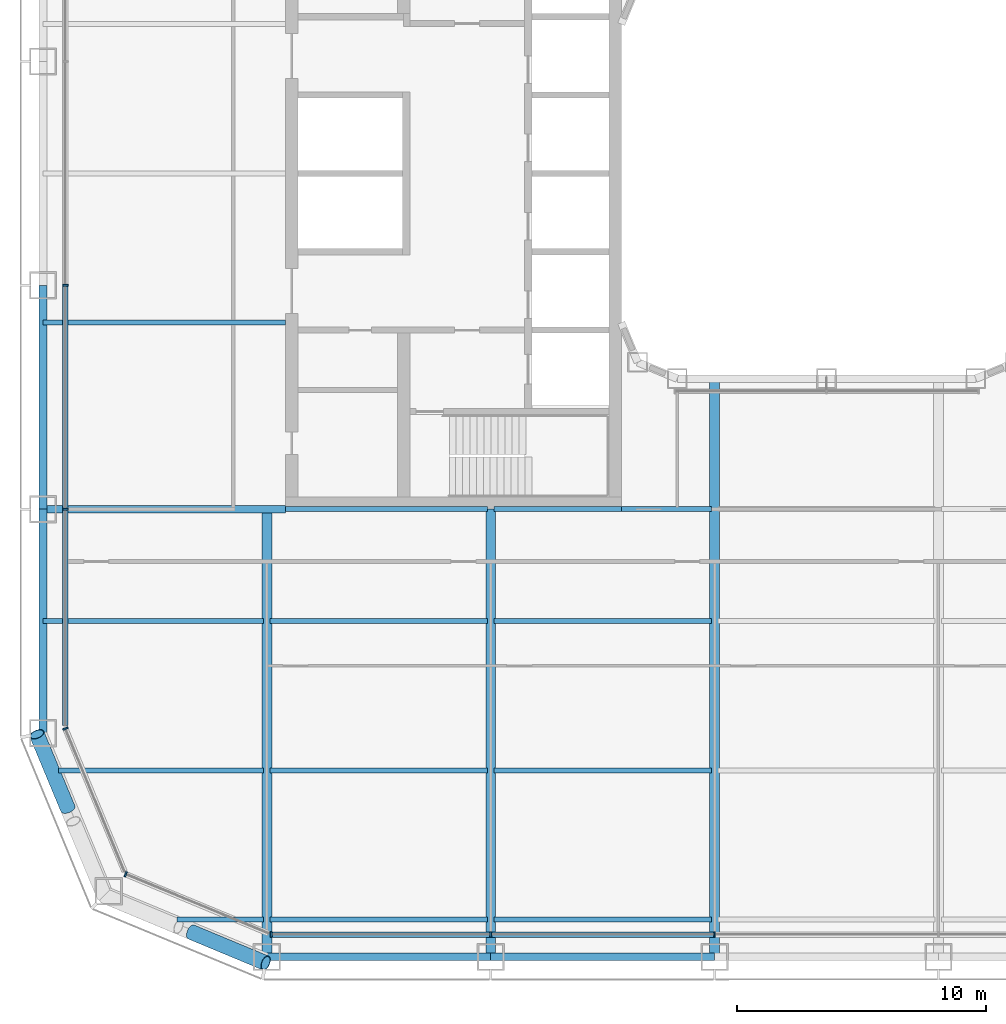
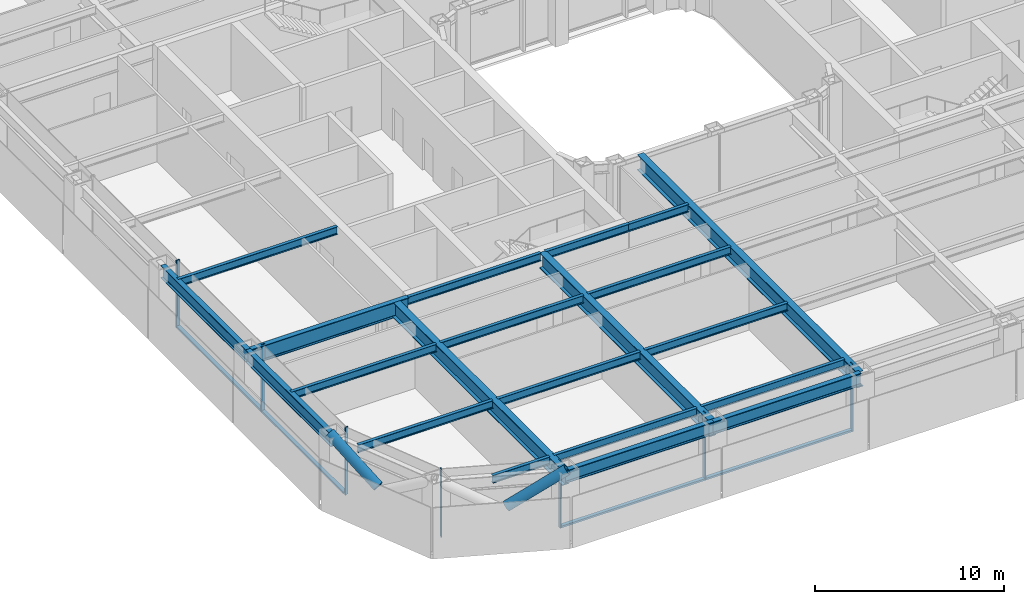
# One storey, part 2 of 30: 21 beams, 13 members, 4 elements without a shape of their own.
"""IFC4 building model written with IfcOpenShell, lengths in metres."""

from ifc_helpers import new_model, si_unit, direction, frame, origin, origin_2d, place, context, subcontext, project, spatial, rectangle, hollow_circle, i_section, extrude, material, layer, layer_set, material_profile, profile_set, type_object, element, aggregate, save


model = new_model("IFC4")

# Units and contexts
model_context = context("Model", 3, precision=1e-05, world=origin(), true_north=direction((0.0, 1.0)))
body_context = subcontext(model_context, "Body", "Model", "MODEL_VIEW")
ifc_project = project(units=[si_unit("LENGTHUNIT", "METRE"), si_unit("AREAUNIT", "SQUARE_METRE"), si_unit("VOLUMEUNIT", "CUBIC_METRE"), si_unit("PLANEANGLEUNIT", "RADIAN"), si_unit("MASSUNIT", "GRAM", prefix="KILO")], contexts=[model_context])

# Site, building, storey
site_placement = place(None, origin())
site = spatial("IfcSite", under=ifc_project, at=site_placement, CompositionType="ELEMENT")
building_placement = place(site_placement, origin())
building = spatial("IfcBuilding", under=site, at=building_placement, Name="Siwar Civic Tower", CompositionType="ELEMENT")
storey_placement = place(building_placement, frame((0.0, 0.0, 26.699951171875)))
storey = spatial("IfcBuildingStorey", under=building, at=storey_placement, Name="L05", CompositionType="ELEMENT", Elevation=26.699951171875)

# Curtain wall, members
ifc_material_1 = material(Name="Aluminium and glass", Category="aluminium")
ifc_layer_1 = layer(ifc_material_1, 0.219970703125)
ifc_layer_set_1 = layer_set([ifc_layer_1], Name="Aluminium and glass")
curtain_wall_type_1 = type_object("IfcCurtainWallType", Name="ENV-CW-A", PredefinedType="NOTDEFINED", material=ifc_layer_set_1)
curtain_wall_1_placement = place(storey_placement, origin())
curtain_wall_1 = element("IfcCurtainWall", 1, at=curtain_wall_1_placement, inside=storey, type_object=curtain_wall_type_1, Name="Curtain wall A S", PredefinedType="NOTDEFINED")
ifc_material_2 = material(Name="Aluminium 6063-T6", Category="aluminium")
ifc_material_profile_1 = material_profile(ifc_material_2, rectangle(XDim=0.219970703125, YDim=0.070068359375, at=origin_2d()), Name="AL 220x70")
ifc_profile_set_1 = profile_set([ifc_material_profile_1], Name="Aluminium 6063-T6")
member_type_1 = type_object("IfcMemberType", Name="ENV-MULLION-A", PredefinedType="MULLION", material=ifc_profile_set_1)
member_1_placement = place(storey_placement, frame((-22.321044921875, -30.60009765625, 0.0), z_axis=(0.0, 0.0, 1.0), x_axis=(0.0, 1.0, 0.0)))
member_1 = element("IfcMember", 2, at=member_1_placement, type_object=member_type_1, Name="Mullion A S 1", PredefinedType="MULLION", context=body_context, shape_type="SweptSolid", body=[
    extrude(rectangle(XDim=0.219970703125, YDim=0.070068359375, at=origin_2d()), origin(), (0.0, 0.0, 1.0), 4.35009765625),
])
member_2_placement = place(storey_placement, frame((-13.5, -30.60009765625, 0.0), z_axis=(0.0, 0.0, 1.0), x_axis=(0.0, 1.0, 0.0)))
member_2 = element("IfcMember", 3, at=member_2_placement, type_object=member_type_1, Name="Mullion A S 2", PredefinedType="MULLION", context=body_context, shape_type="SweptSolid", body=[
    extrude(rectangle(XDim=0.219970703125, YDim=0.070068359375, at=origin_2d()), origin(), (0.0, 0.0, 1.0), 4.35009765625),
])
member_3_placement = place(storey_placement, frame((-4.5, -30.60009765625, 0.0), z_axis=(0.0, 0.0, 1.0), x_axis=(0.0, 1.0, 0.0)))
member_3 = element("IfcMember", 4, at=member_3_placement, type_object=member_type_1, Name="Mullion A S 3", PredefinedType="MULLION", context=body_context, shape_type="SweptSolid", body=[
    extrude(rectangle(XDim=0.219970703125, YDim=0.070068359375, at=origin_2d()), origin(), (0.0, 0.0, 1.0), 4.35009765625),
])

curtain_wall_2_placement = place(storey_placement, origin())
curtain_wall_2 = element("IfcCurtainWall", 5, at=curtain_wall_2_placement, inside=storey, type_object=curtain_wall_type_1, Name="Curtain wall A W", PredefinedType="NOTDEFINED")
member_4_placement = place(storey_placement, frame((-30.60009765625, -4.5, 0.0), z_axis=(0.0, 0.0, 1.0), x_axis=(1.0, 0.0, 0.0)))
member_4 = element("IfcMember", 6, at=member_4_placement, type_object=member_type_1, Name="Mullion A W 4", PredefinedType="MULLION", context=body_context, shape_type="SweptSolid", body=[
    extrude(rectangle(XDim=0.219970703125, YDim=0.070068359375, at=origin_2d()), origin(), (0.0, 0.0, 1.0), 4.35009765625),
])
member_5_placement = place(storey_placement, frame((-30.60009765625, -13.5, 0.0), z_axis=(0.0, 0.0, 1.0), x_axis=(1.0, 0.0, 0.0)))
member_5 = element("IfcMember", 7, at=member_5_placement, type_object=member_type_1, Name="Mullion A W 5", PredefinedType="MULLION", context=body_context, shape_type="SweptSolid", body=[
    extrude(rectangle(XDim=0.219970703125, YDim=0.070068359375, at=origin_2d()), origin(), (0.0, 0.0, 1.0), 4.35009765625),
])

# Curtain wall, member
ifc_material_3 = material(Name="Aluminium clad insulated panel", Category="aluminium")
ifc_layer_2 = layer(ifc_material_3, 0.219970703125)
ifc_layer_set_2 = layer_set([ifc_layer_2], Name="Aluminium clad insulated panel")
curtain_wall_type_2 = type_object("IfcCurtainWallType", Name="ENV-CW-AX", PredefinedType="NOTDEFINED", material=ifc_layer_set_2)
curtain_wall_3_placement = place(storey_placement, origin())
curtain_wall_3 = element("IfcCurtainWall", 8, at=curtain_wall_3_placement, inside=storey, type_object=curtain_wall_type_2, Name="Curtain wall A SW1", PredefinedType="NOTDEFINED")
member_6_placement = place(storey_placement, frame((-30.60009765625, -22.321044921875, 0.0), z_axis=(0.0, 0.0, 1.0), x_axis=(0.923879532511, 0.382683432365, 0.0)))
member_6 = element("IfcMember", 9, at=member_6_placement, type_object=member_type_1, Name="Mullion A SW1 1", PredefinedType="MULLION", context=body_context, shape_type="SweptSolid", body=[
    extrude(rectangle(XDim=0.219970703125, YDim=0.070068359375, at=origin_2d()), origin(), (0.0, 0.0, 1.0), 4.35009765625),
])
aggregate(curtain_wall_3, [member_6])

curtain_wall_4_placement = place(storey_placement, origin())
curtain_wall_4 = element("IfcCurtainWall", 10, at=curtain_wall_4_placement, inside=storey, type_object=curtain_wall_type_2, Name="Curtain wall A SW2", PredefinedType="NOTDEFINED")
member_7_placement = place(storey_placement, frame((-28.175048828125, -28.175048828125, 0.0), z_axis=(0.0, 0.0, 1.0), x_axis=(0.382683432365, 0.923879532511, 0.0)))
member_7 = element("IfcMember", 11, at=member_7_placement, type_object=member_type_1, Name="Mullion A SW2 1", PredefinedType="MULLION", context=body_context, shape_type="SweptSolid", body=[
    extrude(rectangle(XDim=0.219970703125, YDim=0.070068359375, at=origin_2d()), origin(), (0.0, 0.0, 1.0), 4.35009765625),
])
aggregate(curtain_wall_4, [member_7])

# Member
ifc_material_4 = material(Name="Aluminium 6063-T6", Category="aluminium")
ifc_material_profile_2 = material_profile(ifc_material_4, rectangle(XDim=0.219970703125, YDim=0.1201171875, at=origin_2d()), Name="AL 220x120")
ifc_profile_set_2 = profile_set([ifc_material_profile_2], Name="Aluminium 6063-T6")
member_type_2 = type_object("IfcMemberType", Name="ENV-TRANSOM-A", PredefinedType="USERDEFINED", material=ifc_profile_set_2)
member_8_placement = place(storey_placement, frame((-22.285888671875, -30.60009765625, 0.06005859375), z_axis=(1.0, 0.0, 0.0), x_axis=(0.0, 1.0, 0.0)))
member_8 = element("IfcMember", 12, at=member_8_placement, type_object=member_type_2, Name="Transom A S 1", ObjectType="TRANSOM", PredefinedType="USERDEFINED", context=body_context, shape_type="SweptSolid", body=[
    extrude(rectangle(XDim=0.219970703125, YDim=0.1201171875, at=origin_2d()), origin(), (0.0, 0.0, 1.0), 8.7509765625),
])

member_9_placement = place(storey_placement, frame((-13.465087890625, -30.60009765625, 0.06005859375), z_axis=(1.0, 0.0, 0.0), x_axis=(0.0, 1.0, 0.0)))
member_9 = element("IfcMember", 13, at=member_9_placement, type_object=member_type_2, Name="Transom A S 2", ObjectType="TRANSOM", PredefinedType="USERDEFINED", context=body_context, shape_type="SweptSolid", body=[
    extrude(rectangle(XDim=0.219970703125, YDim=0.1201171875, at=origin_2d()), origin(), (0.0, 0.0, 1.0), 8.93017578125),
])

aggregate(curtain_wall_1, [member_1, member_2, member_3, member_8, member_9])

member_10_placement = place(storey_placement, frame((-30.60009765625, -4.534912109375, 0.06005859375), z_axis=(0.0, -1.0, 0.0), x_axis=(1.0, 0.0, 0.0)))
member_10 = element("IfcMember", 14, at=member_10_placement, type_object=member_type_2, Name="Transom A W 4", ObjectType="TRANSOM", PredefinedType="USERDEFINED", context=body_context, shape_type="SweptSolid", body=[
    extrude(rectangle(XDim=0.219970703125, YDim=0.1201171875, at=origin_2d()), origin(), (0.0, 0.0, 1.0), 8.93017578125),
])

member_11_placement = place(storey_placement, frame((-30.60009765625, -13.534912109375, 0.06005859375), z_axis=(0.0, -1.0, 0.0), x_axis=(1.0, 0.0, 0.0)))
member_11 = element("IfcMember", 15, at=member_11_placement, type_object=member_type_2, Name="Transom A W 5", ObjectType="TRANSOM", PredefinedType="USERDEFINED", context=body_context, shape_type="SweptSolid", body=[
    extrude(rectangle(XDim=0.219970703125, YDim=0.1201171875, at=origin_2d()), origin(), (0.0, 0.0, 1.0), 8.66357421875),
])

aggregate(curtain_wall_2, [member_4, member_5, member_10, member_11])

# Members
ifc_material_5 = material(Name="Steel S355", Category="steel")
ifc_material_profile_3 = material_profile(ifc_material_5, hollow_circle(Radius=0.304931640625, WallThickness=0.030029296875, at=origin_2d()), Name="CHS610x30")
ifc_profile_set_3 = profile_set([ifc_material_profile_3], Name="Steel S355")
member_type_3 = type_object("IfcMemberType", Name="STR-BR-CHS610x30", PredefinedType="BRACE", material=ifc_profile_set_3)
for number, where, z_axis, x_axis, name in (
    (16, (-25.537353515625, -30.500244140625, 2.428466796875), (0.777559680196, -0.3238932121, 0.53897507446), (0.384524353215, 0.923114847559, 0.0), "L05/brc/ASW1-4-0-3"),
    (17, (-30.500244140625, -25.537353515625, 2.428466796875), (-0.3238932121, 0.777559680196, 0.53897507446), (-0.923114847559, -0.384524353215, 0.0), "L05/brc/ASW1-4-0-5"),
):
    element("IfcMember", number, at=place(storey_placement, frame(where, z_axis=z_axis, x_axis=x_axis)), inside=storey, type_object=member_type_3, Name=name, PredefinedType="BRACE", context=body_context, shape_type="SweptSolid", body=[
        extrude(hollow_circle(Radius=0.304931640625, WallThickness=0.030029296875, at=origin_2d()), origin(), (0.0, 0.0, 1.0), 3.843505859375),
    ])

# Beams
ifc_material_6 = material(Name="Steel S355", Category="steel")
ifc_material_profile_4 = material_profile(ifc_material_6, i_section(OverallWidth=0.199951171875, OverallDepth=0.5, WebThickness=0.01025390625, FlangeThickness=0.01611328125, FilletRadius=0.02099609375, at=origin_2d()), Name="IPE500")
ifc_profile_set_4 = profile_set([ifc_material_profile_4], Name="Steel S355")
beam_type_1 = type_object("IfcBeamType", Name="STR-FB-IPE500", PredefinedType="JOIST", material=ifc_profile_set_4)
beam_1_placement = place(storey_placement, frame((-26.121337890625, -30.0, 4.10009765625), z_axis=(1.0, 0.0, 0.0), x_axis=(0.0, 1.0, 0.0)))
element("IfcBeam", 18, at=beam_1_placement, inside=storey, type_object=beam_type_1, Name="L05/bm/F001", PredefinedType="JOIST", context=body_context, shape_type="SweptSolid", body=[
    extrude(i_section(OverallWidth=0.199951171875, OverallDepth=0.5, WebThickness=0.01025390625, FlangeThickness=0.01611328125, FilletRadius=0.02099609375, at=origin_2d()), origin(), (0.0, 0.0, 1.0), 3.491455078125),
])
for number, where, z_axis, x_axis, name in (
    (19, (-22.3701171875, -30.0, 4.10009765625), (1.0, 0.0, 0.0), (0.0, 1.0, 0.0), "L05/bm/F002"),
    (20, (-13.3701171875, -30.0, 4.10009765625), (1.0, 0.0, 0.0), (0.0, 1.0, 0.0), "L05/bm/F003"),
):
    element("IfcBeam", number, at=place(storey_placement, frame(where, z_axis=z_axis, x_axis=x_axis)), inside=storey, type_object=beam_type_1, Name=name, PredefinedType="JOIST", context=body_context, shape_type="SweptSolid", body=[
        extrude(i_section(OverallWidth=0.199951171875, OverallDepth=0.5, WebThickness=0.01025390625, FlangeThickness=0.01611328125, FilletRadius=0.02099609375, at=origin_2d()), origin(), (0.0, 0.0, 1.0), 8.740234375),
    ])
beam_2_placement = place(storey_placement, frame((-30.878662109375, -24.0, 4.10009765625), z_axis=(1.0, 0.0, 0.0), x_axis=(0.0, 1.0, 0.0)))
element("IfcBeam", 21, at=beam_2_placement, inside=storey, type_object=beam_type_1, Name="L05/bm/F008", PredefinedType="JOIST", context=body_context, shape_type="SweptSolid", body=[
    extrude(i_section(OverallWidth=0.199951171875, OverallDepth=0.5, WebThickness=0.01025390625, FlangeThickness=0.01611328125, FilletRadius=0.02099609375, at=origin_2d()), origin(), (0.0, 0.0, 1.0), 8.248779296875),
])
for number, where, z_axis, x_axis, name in (
    (22, (-22.3701171875, -24.0, 4.10009765625), (1.0, 0.0, 0.0), (0.0, 1.0, 0.0), "L05/bm/F009"),
    (23, (-13.3701171875, -24.0, 4.10009765625), (1.0, 0.0, 0.0), (0.0, 1.0, 0.0), "L05/bm/F010"),
):
    element("IfcBeam", number, at=place(storey_placement, frame(where, z_axis=z_axis, x_axis=x_axis)), inside=storey, type_object=beam_type_1, Name=name, PredefinedType="JOIST", context=body_context, shape_type="SweptSolid", body=[
        extrude(i_section(OverallWidth=0.199951171875, OverallDepth=0.5, WebThickness=0.01025390625, FlangeThickness=0.01611328125, FilletRadius=0.02099609375, at=origin_2d()), origin(), (0.0, 0.0, 1.0), 8.740234375),
    ])
beam_3_placement = place(storey_placement, frame((-31.5, -18.0, 4.10009765625), z_axis=(1.0, 0.0, 0.0), x_axis=(0.0, 1.0, 0.0)))
element("IfcBeam", 24, at=beam_3_placement, inside=storey, type_object=beam_type_1, Name="L05/bm/F015", PredefinedType="JOIST", context=body_context, shape_type="SweptSolid", body=[
    extrude(i_section(OverallWidth=0.199951171875, OverallDepth=0.5, WebThickness=0.01025390625, FlangeThickness=0.01611328125, FilletRadius=0.02099609375, at=origin_2d()), origin(), (0.0, 0.0, 1.0), 8.8701171875),
])
for number, where, z_axis, x_axis, name in (
    (25, (-22.3701171875, -18.0, 4.10009765625), (1.0, 0.0, 0.0), (0.0, 1.0, 0.0), "L05/bm/F016"),
    (26, (-13.3701171875, -18.0, 4.10009765625), (1.0, 0.0, 0.0), (0.0, 1.0, 0.0), "L05/bm/F017"),
):
    element("IfcBeam", number, at=place(storey_placement, frame(where, z_axis=z_axis, x_axis=x_axis)), inside=storey, type_object=beam_type_1, Name=name, PredefinedType="JOIST", context=body_context, shape_type="SweptSolid", body=[
        extrude(i_section(OverallWidth=0.199951171875, OverallDepth=0.5, WebThickness=0.01025390625, FlangeThickness=0.01611328125, FilletRadius=0.02099609375, at=origin_2d()), origin(), (0.0, 0.0, 1.0), 8.740234375),
    ])
beam_4_placement = place(storey_placement, frame((-21.75, -13.5, 4.10009765625), z_axis=(1.0, 0.0, 0.0), x_axis=(0.0, 1.0, 0.0)))
element("IfcBeam", 27, at=beam_4_placement, inside=storey, type_object=beam_type_1, Name="L05/bm/F023", PredefinedType="JOIST", context=body_context, shape_type="SweptSolid", body=[
    extrude(i_section(OverallWidth=0.199951171875, OverallDepth=0.5, WebThickness=0.01025390625, FlangeThickness=0.01611328125, FilletRadius=0.02099609375, at=origin_2d()), origin(), (0.0, 0.0, 1.0), 8.1201171875),
])
beam_5_placement = place(storey_placement, frame((-13.3701171875, -13.5, 4.10009765625), z_axis=(1.0, 0.0, 0.0), x_axis=(0.0, 1.0, 0.0)))
element("IfcBeam", 28, at=beam_5_placement, inside=storey, type_object=beam_type_1, Name="L05/bm/F024", PredefinedType="JOIST", context=body_context, shape_type="SweptSolid", body=[
    extrude(i_section(OverallWidth=0.199951171875, OverallDepth=0.5, WebThickness=0.01025390625, FlangeThickness=0.01611328125, FilletRadius=0.02099609375, at=origin_2d()), origin(), (0.0, 0.0, 1.0), 5.1201171875),
])
beam_6_placement = place(storey_placement, frame((-8.25, -13.5, 4.10009765625), z_axis=(1.0, 0.0, 0.0), x_axis=(0.0, 1.0, 0.0)))
element("IfcBeam", 29, at=beam_6_placement, inside=storey, type_object=beam_type_1, Name="L05/bm/F025", PredefinedType="JOIST", context=body_context, shape_type="SweptSolid", body=[
    extrude(i_section(OverallWidth=0.199951171875, OverallDepth=0.5, WebThickness=0.01025390625, FlangeThickness=0.01611328125, FilletRadius=0.02099609375, at=origin_2d()), origin(), (0.0, 0.0, 1.0), 3.6201171875),
])
beam_7_placement = place(storey_placement, frame((-31.5, -6.0, 4.10009765625), z_axis=(1.0, 0.0, 0.0), x_axis=(0.0, 1.0, 0.0)))
element("IfcBeam", 30, at=beam_7_placement, inside=storey, type_object=beam_type_1, Name="L05/bm/F031", PredefinedType="JOIST", context=body_context, shape_type="SweptSolid", body=[
    extrude(i_section(OverallWidth=0.199951171875, OverallDepth=0.5, WebThickness=0.01025390625, FlangeThickness=0.01611328125, FilletRadius=0.02099609375, at=origin_2d()), origin(), (0.0, 0.0, 1.0), 9.75),
])
ifc_material_7 = material(Name="Steel S355", Category="steel")
ifc_material_profile_5 = material_profile(ifc_material_7, i_section(OverallWidth=0.300048828125, OverallDepth=1.0, WebThickness=0.01904296875, FlangeThickness=0.035888671875, FilletRadius=0.030029296875, at=origin_2d()), Name="HEB1000")
ifc_profile_set_5 = profile_set([ifc_material_profile_5], Name="Steel S355")
beam_type_2 = type_object("IfcBeamType", Name="STR-PG-HEB1000", PredefinedType="BEAM", material=ifc_profile_set_5)
beam_8_placement = place(storey_placement, frame((-31.5, -13.5, 3.85009765625), z_axis=(1.0, 0.0, 0.0), x_axis=(0.0, 1.0, 0.0)))
element("IfcBeam", 31, at=beam_8_placement, inside=storey, type_object=beam_type_2, Name="L05/bm/F022", PredefinedType="BEAM", context=body_context, shape_type="SweptSolid", body=[
    extrude(i_section(OverallWidth=0.300048828125, OverallDepth=1.0, WebThickness=0.01904296875, FlangeThickness=0.035888671875, FilletRadius=0.030029296875, at=origin_2d()), origin(), (0.0, 0.0, 1.0), 9.75),
])
ifc_material_8 = material(Name="Steel S355", Category="steel")
ifc_material_profile_6 = material_profile(ifc_material_8, i_section(OverallWidth=0.39990234375, OverallDepth=1.0, WebThickness=0.01611328125, FlangeThickness=0.0400390625, at=origin_2d()), Name="PG1000x400x16x40")
ifc_profile_set_6 = profile_set([ifc_material_profile_6], Name="Steel S355")
beam_type_3 = type_object("IfcBeamType", Name="STR-PG-PG1000x400x16x40", PredefinedType="BEAM", material=ifc_profile_set_6)
for number, where, z_axis, x_axis, name in (
    (32, (-22.5, -31.5, 3.85009765625), (0.0, 1.0, 0.0), (-1.0, 0.0, 0.0), "L05/bm/G01"),
    (33, (-13.5, -31.5, 3.85009765625), (0.0, 1.0, 0.0), (-1.0, 0.0, 0.0), "L05/bm/G03"),
):
    element("IfcBeam", number, at=place(storey_placement, frame(where, z_axis=z_axis, x_axis=x_axis)), inside=storey, type_object=beam_type_3, Name=name, PredefinedType="BEAM", context=body_context, shape_type="SweptSolid", body=[
        extrude(i_section(OverallWidth=0.39990234375, OverallDepth=1.0, WebThickness=0.01611328125, FlangeThickness=0.0400390625, at=origin_2d()), origin(), (0.0, 0.0, 1.0), 18.0),
    ])
beam_9_placement = place(storey_placement, frame((-4.5, -31.5, 3.85009765625), z_axis=(0.0, 1.0, 0.0), x_axis=(-1.0, 0.0, 0.0)))
element("IfcBeam", 34, at=beam_9_placement, inside=storey, type_object=beam_type_3, Name="L05/bm/G05", PredefinedType="BEAM", context=body_context, shape_type="SweptSolid", body=[
    extrude(i_section(OverallWidth=0.39990234375, OverallDepth=1.0, WebThickness=0.01611328125, FlangeThickness=0.0400390625, at=origin_2d()), origin(), (0.0, 0.0, 1.0), 23.25),
])
ifc_material_9 = material(Name="Steel S355", Category="steel")
ifc_material_profile_7 = material_profile(ifc_material_9, i_section(OverallWidth=0.302978515625, OverallDepth=0.81396484375, WebThickness=0.02099609375, FlangeThickness=0.0400390625, FilletRadius=0.030029296875, at=origin_2d()), Name="HEM800")
ifc_profile_set_7 = profile_set([ifc_material_profile_7], Name="Steel S355")
beam_type_4 = type_object("IfcBeamType", Name="STR-SB-HEM800", PredefinedType="BEAM", material=ifc_profile_set_7)
for number, where, z_axis, x_axis, name in (
    (35, (-22.5, -31.5, 3.943115234375), (1.0, 0.0, 0.0), (0.0, 1.0, 0.0), "L05/bm/SS-0"),
    (36, (-13.5, -31.5, 3.943115234375), (1.0, 0.0, 0.0), (0.0, 1.0, 0.0), "L05/bm/SS-1"),
    (37, (-31.5, -4.5, 3.943115234375), (0.0, -1.0, 0.0), (1.0, 0.0, 0.0), "L05/bm/SW-3"),
    (38, (-31.5, -13.5, 3.943115234375), (0.0, -1.0, 0.0), (1.0, 0.0, 0.0), "L05/bm/SW-4"),
):
    element("IfcBeam", number, at=place(storey_placement, frame(where, z_axis=z_axis, x_axis=x_axis)), inside=storey, type_object=beam_type_4, Name=name, PredefinedType="BEAM", context=body_context, shape_type="SweptSolid", body=[
        extrude(i_section(OverallWidth=0.302978515625, OverallDepth=0.81396484375, WebThickness=0.02099609375, FlangeThickness=0.0400390625, FilletRadius=0.030029296875, at=origin_2d()), origin(), (0.0, 0.0, 1.0), 9.0),
    ])

save(model, "model.ifc")
